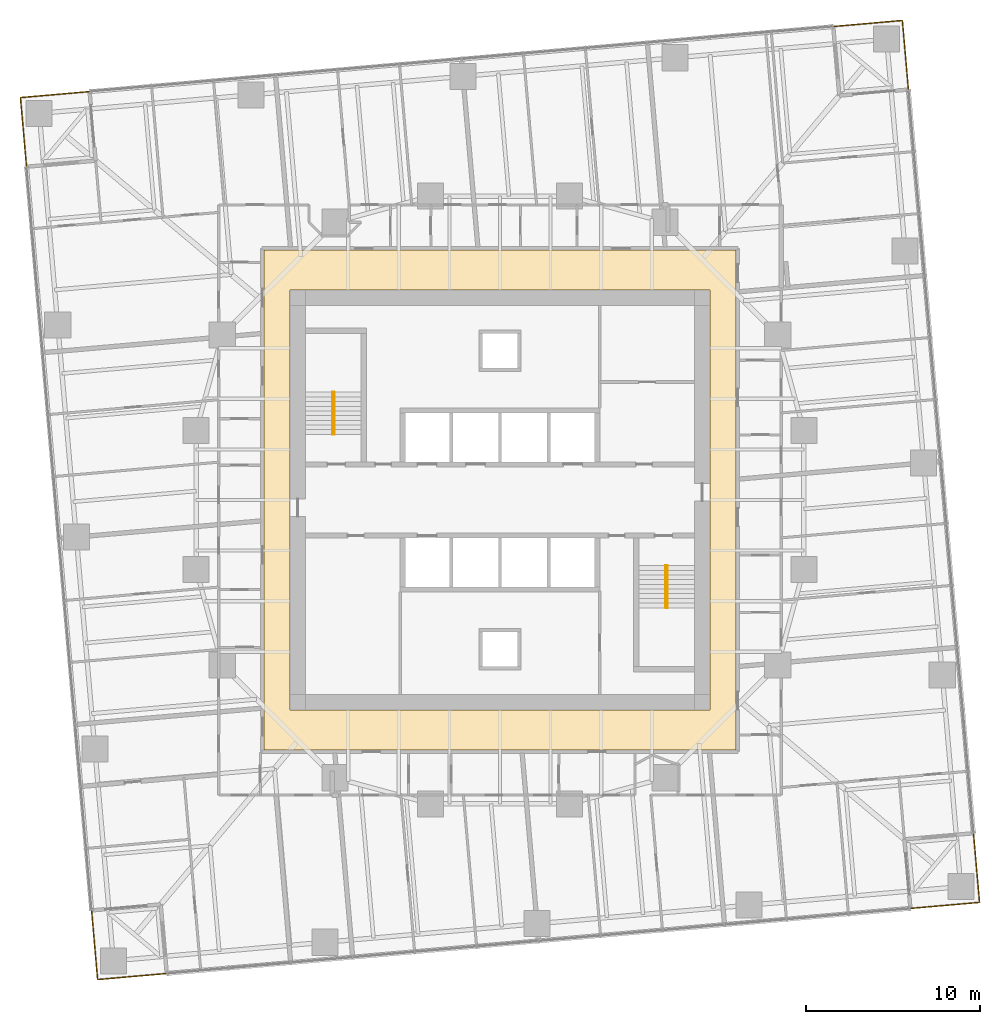
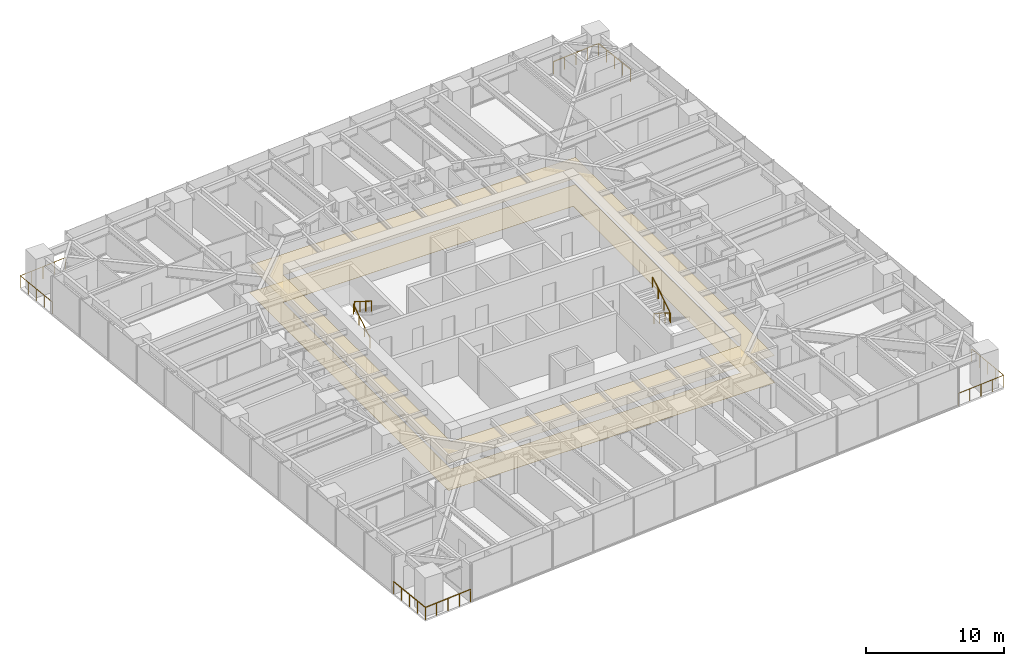
# One storey, part 14 of 14: 8 railings, 2 coverings, 2 elements without a shape of their own.
"""IFC4 building model written with IfcOpenShell, lengths in metres."""

from ifc_helpers import new_model, si_unit, direction, frame, origin, origin_2d, place, context, subcontext, project, spatial, polyline, circle, outline, extrude, material, layer, layer_set, type_object, element, aggregate, save


model = new_model("IFC4")

# Units and contexts
model_context = context("Model", 3, precision=1e-05, world=origin(), true_north=direction((0.0, 1.0)))
body_context = subcontext(model_context, "Body", "Model", "MODEL_VIEW")
ifc_project = project(units=[si_unit("LENGTHUNIT", "METRE"), si_unit("AREAUNIT", "SQUARE_METRE"), si_unit("VOLUMEUNIT", "CUBIC_METRE"), si_unit("PLANEANGLEUNIT", "RADIAN"), si_unit("MASSUNIT", "GRAM", prefix="KILO")], contexts=[model_context])

# Site, building, storey
site_placement = place(None, origin())
site = spatial("IfcSite", under=ifc_project, at=site_placement, CompositionType="ELEMENT")
building_placement = place(site_placement, origin())
building = spatial("IfcBuilding", under=site, at=building_placement, Name="Torsade Residences", CompositionType="ELEMENT")
storey_placement = place(building_placement, frame((0.0, 0.0, 57.39990234375)))
storey = spatial("IfcBuildingStorey", under=building, at=storey_placement, Name="L15", CompositionType="ELEMENT", Elevation=57.39990234375)

# Coverings
ifc_material_1 = material(Name="Nylon carpet tile on underlay", Category="textile")
ifc_layer_1 = layer(ifc_material_1, 0.010009765625)
ifc_layer_set_1 = layer_set([ifc_layer_1], Name="Nylon carpet tile on underlay")
covering_type_1 = type_object("IfcCoveringType", Name="CORRIDOR CARPET TILE 10", PredefinedType="FLOORING", material=ifc_layer_set_1)
covering_1_placement = place(storey_placement, origin())
element("IfcCovering", 1, at=covering_1_placement, inside=storey, type_object=covering_type_1, Name="Corridor carpet L15", PredefinedType="FLOORING", context=body_context, shape_type="SweptSolid", body=[
    extrude(outline(polyline([(53.60009765625, 15.60009765625), (53.60009765625, 44.39990234375), (26.39990234375, 44.39990234375), (26.39990234375, 15.60009765625), (53.60009765625, 15.60009765625)]), holes=[polyline([(52.10009765625, 42.10009765625), (27.89990234375, 42.10009765625), (27.89990234375, 17.89990234375), (52.10009765625, 17.89990234375), (52.10009765625, 42.10009765625)])]), origin(), (0.0, 0.0, 1.0), 0.010009765625),
])
ifc_material_2 = material(Name="Plasterboard on suspended steel grid", Category="steel")
ifc_layer_2 = layer(ifc_material_2, 0.012939453125)
ifc_layer_set_2 = layer_set([ifc_layer_2], Name="Plasterboard on suspended steel grid")
covering_type_2 = type_object("IfcCoveringType", Name="CORRIDOR SUSPENDED CEILING 13", PredefinedType="CEILING", material=ifc_layer_set_2)
covering_2_placement = place(storey_placement, frame((0.0, 0.0, 2.400146484375)))
element("IfcCovering", 2, at=covering_2_placement, inside=storey, type_object=covering_type_2, Name="Corridor ceiling L15", PredefinedType="CEILING", context=body_context, shape_type="SweptSolid", body=[
    extrude(outline(polyline([(53.60009765625, 15.60009765625), (53.60009765625, 44.39990234375), (26.39990234375, 44.39990234375), (26.39990234375, 15.60009765625), (53.60009765625, 15.60009765625)]), holes=[polyline([(52.10009765625, 42.10009765625), (27.89990234375, 42.10009765625), (27.89990234375, 17.89990234375), (52.10009765625, 17.89990234375), (52.10009765625, 42.10009765625)])]), origin(), (0.0, 0.0, 1.0), 0.012939453125),
])

# Stair, railings
ifc_material_3 = material(Name="Precast concrete 40 MPa", Category="concrete")
stair_type = type_object("IfcStairType", Name="HALF-TURN FIRE STAIR 1500x3400", PredefinedType="HALF_TURN_STAIR", material=ifc_material_3)
stair_1_placement = place(storey_placement, origin())
stair_1 = element("IfcStair", 3, at=stair_1_placement, inside=storey, type_object=stair_type, Name="Stair ST1 L15", PredefinedType="HALF_TURN_STAIR")
ifc_material_4 = material(Name="Steel handrail", Category="steel")
railing_type_1 = type_object("IfcRailingType", Name="STAIR HANDRAIL 900", PredefinedType="HANDRAIL", material=ifc_material_4)
railing_1_placement = place(storey_placement, frame((30.35009765625, 33.780029296875, 0.170166015625)))
railing_1 = element("IfcRailing", 4, at=railing_1_placement, type_object=railing_type_1, Name="Handrail ST1 flight 1 L15", PredefinedType="HANDRAIL", context=body_context, shape_type="SweptSolid", body=[
    extrude(circle(Radius=0.02392578125, at=origin_2d()), frame((0.0, 0.0, 0.8759765625), z_axis=(0.0, 0.846221481393, 0.532831309544), x_axis=(-1.0, 0.0, 0.0)), (0.0, 0.0, 1.0), 2.87158203125),
    extrude(circle(Radius=0.02099609375, at=origin_2d()), origin(), (0.0, 0.0, 1.0), 0.851806640625),
    extrude(circle(Radius=0.02099609375, at=origin_2d()), frame((0.0, 0.81005859375, 0.510009765625)), (0.0, 0.0, 1.0), 0.851806640625),
    extrude(circle(Radius=0.02099609375, at=origin_2d()), frame((0.0, 1.619873046875, 1.02001953125)), (0.0, 0.0, 1.0), 0.851806640625),
    extrude(circle(Radius=0.02099609375, at=origin_2d()), frame((0.0, 2.429931640625, 1.530029296875)), (0.0, 0.0, 1.0), 0.851806640625),
])
railing_2_placement = place(storey_placement, frame((30.449951171875, 36.2099609375, 1.8701171875)))
railing_2 = element("IfcRailing", 5, at=railing_2_placement, type_object=railing_type_1, Name="Handrail ST1 flight 2 L15", PredefinedType="HANDRAIL", context=body_context, shape_type="SweptSolid", body=[
    extrude(circle(Radius=0.02392578125, at=origin_2d()), frame((0.0, 0.0, 0.8759765625), z_axis=(0.0, -0.846221481393, 0.532831309544), x_axis=(1.0, 0.0, 0.0)), (0.0, 0.0, 1.0), 2.87158203125),
    extrude(circle(Radius=0.02099609375, at=origin_2d()), origin(), (0.0, 0.0, 1.0), 0.851806640625),
    extrude(circle(Radius=0.02099609375, at=origin_2d()), frame((0.0, -0.81005859375, 0.510009765625)), (0.0, 0.0, 1.0), 0.851806640625),
    extrude(circle(Radius=0.02099609375, at=origin_2d()), frame((0.0, -1.619873046875, 1.02001953125)), (0.0, 0.0, 1.0), 0.851806640625),
    extrude(circle(Radius=0.02099609375, at=origin_2d()), frame((0.0, -2.429931640625, 1.530029296875)), (0.0, 0.0, 1.0), 0.851806640625),
])
aggregate(stair_1, [railing_1, railing_2])

stair_2_placement = place(storey_placement, origin())
stair_2 = element("IfcStair", 6, at=stair_2_placement, inside=storey, type_object=stair_type, Name="Stair ST2 L15", PredefinedType="HALF_TURN_STAIR")
railing_3_placement = place(storey_placement, frame((49.64990234375, 26.219970703125, 0.170166015625)))
railing_3 = element("IfcRailing", 7, at=railing_3_placement, type_object=railing_type_1, Name="Handrail ST2 flight 1 L15", PredefinedType="HANDRAIL", context=body_context, shape_type="SweptSolid", body=[
    extrude(circle(Radius=0.02392578125, at=origin_2d()), frame((0.0, 0.0, 0.8759765625), z_axis=(0.0, -0.846221481393, 0.532831309544), x_axis=(1.0, 0.0, 0.0)), (0.0, 0.0, 1.0), 2.87158203125),
    extrude(circle(Radius=0.02099609375, at=origin_2d()), origin(), (0.0, 0.0, 1.0), 0.851806640625),
    extrude(circle(Radius=0.02099609375, at=origin_2d()), frame((0.0, -0.81005859375, 0.510009765625)), (0.0, 0.0, 1.0), 0.851806640625),
    extrude(circle(Radius=0.02099609375, at=origin_2d()), frame((0.0, -1.619873046875, 1.02001953125)), (0.0, 0.0, 1.0), 0.851806640625),
    extrude(circle(Radius=0.02099609375, at=origin_2d()), frame((0.0, -2.429931640625, 1.530029296875)), (0.0, 0.0, 1.0), 0.851806640625),
])
railing_4_placement = place(storey_placement, frame((49.550048828125, 23.7900390625, 1.8701171875)))
railing_4 = element("IfcRailing", 8, at=railing_4_placement, type_object=railing_type_1, Name="Handrail ST2 flight 2 L15", PredefinedType="HANDRAIL", context=body_context, shape_type="SweptSolid", body=[
    extrude(circle(Radius=0.02392578125, at=origin_2d()), frame((0.0, 0.0, 0.8759765625), z_axis=(0.0, 0.846221481393, 0.532831309544), x_axis=(-1.0, 0.0, 0.0)), (0.0, 0.0, 1.0), 2.87158203125),
    extrude(circle(Radius=0.02099609375, at=origin_2d()), origin(), (0.0, 0.0, 1.0), 0.851806640625),
    extrude(circle(Radius=0.02099609375, at=origin_2d()), frame((0.0, 0.81005859375, 0.510009765625)), (0.0, 0.0, 1.0), 0.851806640625),
    extrude(circle(Radius=0.02099609375, at=origin_2d()), frame((0.0, 1.619873046875, 1.02001953125)), (0.0, 0.0, 1.0), 0.851806640625),
    extrude(circle(Radius=0.02099609375, at=origin_2d()), frame((0.0, 2.429931640625, 1.530029296875)), (0.0, 0.0, 1.0), 0.851806640625),
])
aggregate(stair_2, [railing_3, railing_4])

# Railings
ifc_material_5 = material(Name="Laminated glass balustrade", Category="glass")
railing_type_2 = type_object("IfcRailingType", Name="TERRACE GLASS BALUSTRADE 1100", PredefinedType="BALUSTRADE", material=ifc_material_5)
railing_5_placement = place(storey_placement, frame((63.640625, 6.470947265625, 0.0)))
element("IfcRailing", 9, at=railing_5_placement, inside=storey, type_object=railing_type_2, Name="Terrace balustrade SE L15", PredefinedType="BALUSTRADE", context=body_context, shape_type="SweptSolid", body=[
    extrude(circle(Radius=0.02392578125, at=origin_2d()), frame((0.0, 0.0, 1.076171875), z_axis=(0.99619464492, 0.087156350505, 0.0), x_axis=(-0.087156350505, 0.99619464492, 0.0)), (0.0, 0.0, 1.0), 4.0),
    extrude(circle(Radius=0.02392578125, at=origin_2d()), frame((3.98486328125, 0.3486328125, 1.076171875), z_axis=(-0.087161650072, 0.99619418125, 0.0), x_axis=(-0.99619418125, -0.087161650072, 0.0)), (0.0, 0.0, 1.0), 3.999755859375),
    extrude(circle(Radius=0.02099609375, at=origin_2d()), origin(), (0.0, 0.0, 1.0), 1.052001953125),
    extrude(circle(Radius=0.02099609375, at=origin_2d()), frame((0.99609375, 0.087158203125, 0.0)), (0.0, 0.0, 1.0), 1.052001953125),
    extrude(circle(Radius=0.02099609375, at=origin_2d()), frame((1.992431640625, 0.17431640625, 0.0)), (0.0, 0.0, 1.0), 1.052001953125),
    extrude(circle(Radius=0.02099609375, at=origin_2d()), frame((2.98876953125, 0.261474609375, 0.0)), (0.0, 0.0, 1.0), 1.052001953125),
    extrude(circle(Radius=0.02099609375, at=origin_2d()), frame((3.98486328125, 0.3486328125, 0.0)), (0.0, 0.0, 1.0), 1.052001953125),
    extrude(circle(Radius=0.02099609375, at=origin_2d()), frame((3.897705078125, 1.3447265625, 0.0)), (0.0, 0.0, 1.0), 1.052001953125),
    extrude(circle(Radius=0.02099609375, at=origin_2d()), frame((3.810546875, 2.3408203125, 0.0)), (0.0, 0.0, 1.0), 1.052001953125),
    extrude(circle(Radius=0.02099609375, at=origin_2d()), frame((3.723388671875, 3.337158203125, 0.0)), (0.0, 0.0, 1.0), 1.052001953125),
    extrude(circle(Radius=0.02099609375, at=origin_2d()), frame((3.63623046875, 4.333251953125, 0.0)), (0.0, 0.0, 1.0), 1.052001953125),
])
railing_6_placement = place(storey_placement, frame((63.529052734375, 53.640625, 0.0)))
element("IfcRailing", 10, at=railing_6_placement, inside=storey, type_object=railing_type_2, Name="Terrace balustrade NE L15", PredefinedType="BALUSTRADE", context=body_context, shape_type="SweptSolid", body=[
    extrude(circle(Radius=0.02392578125, at=origin_2d()), frame((0.0, 0.0, 1.076171875), z_axis=(-0.087156350505, 0.99619464492, 0.0), x_axis=(-0.99619464492, -0.087156350505, 0.0)), (0.0, 0.0, 1.0), 4.0),
    extrude(circle(Radius=0.02392578125, at=origin_2d()), frame((-0.3486328125, 3.98486328125, 1.076171875), z_axis=(-0.99619418125, -0.087161650072, 0.0), x_axis=(0.087161650072, -0.99619418125, 0.0)), (0.0, 0.0, 1.0), 3.999755859375),
    extrude(circle(Radius=0.02099609375, at=origin_2d()), origin(), (0.0, 0.0, 1.0), 1.052001953125),
    extrude(circle(Radius=0.02099609375, at=origin_2d()), frame((-0.087158203125, 0.99609375, 0.0)), (0.0, 0.0, 1.0), 1.052001953125),
    extrude(circle(Radius=0.02099609375, at=origin_2d()), frame((-0.17431640625, 1.992431640625, 0.0)), (0.0, 0.0, 1.0), 1.052001953125),
    extrude(circle(Radius=0.02099609375, at=origin_2d()), frame((-0.261474609375, 2.98876953125, 0.0)), (0.0, 0.0, 1.0), 1.052001953125),
    extrude(circle(Radius=0.02099609375, at=origin_2d()), frame((-0.3486328125, 3.98486328125, 0.0)), (0.0, 0.0, 1.0), 1.052001953125),
    extrude(circle(Radius=0.02099609375, at=origin_2d()), frame((-1.3447265625, 3.897705078125, 0.0)), (0.0, 0.0, 1.0), 1.052001953125),
    extrude(circle(Radius=0.02099609375, at=origin_2d()), frame((-2.3408203125, 3.810546875, 0.0)), (0.0, 0.0, 1.0), 1.052001953125),
    extrude(circle(Radius=0.02099609375, at=origin_2d()), frame((-3.337158203125, 3.723388671875, 0.0)), (0.0, 0.0, 1.0), 1.052001953125),
    extrude(circle(Radius=0.02099609375, at=origin_2d()), frame((-4.333251953125, 3.63623046875, 0.0)), (0.0, 0.0, 1.0), 1.052001953125),
])
railing_7_placement = place(storey_placement, frame((16.359375, 53.529052734375, 0.0)))
element("IfcRailing", 11, at=railing_7_placement, inside=storey, type_object=railing_type_2, Name="Terrace balustrade NW L15", PredefinedType="BALUSTRADE", context=body_context, shape_type="SweptSolid", body=[
    extrude(circle(Radius=0.02392578125, at=origin_2d()), frame((0.0, 0.0, 1.076171875), z_axis=(-0.99619464492, -0.087156350505, 0.0), x_axis=(0.087156350505, -0.99619464492, 0.0)), (0.0, 0.0, 1.0), 4.0),
    extrude(circle(Radius=0.02392578125, at=origin_2d()), frame((-3.98486328125, -0.3486328125, 1.076171875), z_axis=(0.087161650072, -0.99619418125, 0.0), x_axis=(0.99619418125, 0.087161650072, 0.0)), (0.0, 0.0, 1.0), 3.999755859375),
    extrude(circle(Radius=0.02099609375, at=origin_2d()), origin(), (0.0, 0.0, 1.0), 1.052001953125),
    extrude(circle(Radius=0.02099609375, at=origin_2d()), frame((-0.99609375, -0.087158203125, 0.0)), (0.0, 0.0, 1.0), 1.052001953125),
    extrude(circle(Radius=0.02099609375, at=origin_2d()), frame((-1.992431640625, -0.17431640625, 0.0)), (0.0, 0.0, 1.0), 1.052001953125),
    extrude(circle(Radius=0.02099609375, at=origin_2d()), frame((-2.98876953125, -0.261474609375, 0.0)), (0.0, 0.0, 1.0), 1.052001953125),
    extrude(circle(Radius=0.02099609375, at=origin_2d()), frame((-3.98486328125, -0.3486328125, 0.0)), (0.0, 0.0, 1.0), 1.052001953125),
    extrude(circle(Radius=0.02099609375, at=origin_2d()), frame((-3.897705078125, -1.3447265625, 0.0)), (0.0, 0.0, 1.0), 1.052001953125),
    extrude(circle(Radius=0.02099609375, at=origin_2d()), frame((-3.810546875, -2.3408203125, 0.0)), (0.0, 0.0, 1.0), 1.052001953125),
    extrude(circle(Radius=0.02099609375, at=origin_2d()), frame((-3.723388671875, -3.337158203125, 0.0)), (0.0, 0.0, 1.0), 1.052001953125),
    extrude(circle(Radius=0.02099609375, at=origin_2d()), frame((-3.63623046875, -4.333251953125, 0.0)), (0.0, 0.0, 1.0), 1.052001953125),
])
railing_8_placement = place(storey_placement, frame((16.470947265625, 6.359375, 0.0)))
element("IfcRailing", 12, at=railing_8_placement, inside=storey, type_object=railing_type_2, Name="Terrace balustrade SW L15", PredefinedType="BALUSTRADE", context=body_context, shape_type="SweptSolid", body=[
    extrude(circle(Radius=0.02392578125, at=origin_2d()), frame((0.0, 0.0, 1.076171875), z_axis=(0.087156350505, -0.99619464492, 0.0), x_axis=(0.99619464492, 0.087156350505, 0.0)), (0.0, 0.0, 1.0), 4.0),
    extrude(circle(Radius=0.02392578125, at=origin_2d()), frame((0.3486328125, -3.98486328125, 1.076171875), z_axis=(0.99619418125, 0.087161650072, 0.0), x_axis=(-0.087161650072, 0.99619418125, 0.0)), (0.0, 0.0, 1.0), 3.999755859375),
    extrude(circle(Radius=0.02099609375, at=origin_2d()), origin(), (0.0, 0.0, 1.0), 1.052001953125),
    extrude(circle(Radius=0.02099609375, at=origin_2d()), frame((0.087158203125, -0.99609375, 0.0)), (0.0, 0.0, 1.0), 1.052001953125),
    extrude(circle(Radius=0.02099609375, at=origin_2d()), frame((0.17431640625, -1.992431640625, 0.0)), (0.0, 0.0, 1.0), 1.052001953125),
    extrude(circle(Radius=0.02099609375, at=origin_2d()), frame((0.261474609375, -2.98876953125, 0.0)), (0.0, 0.0, 1.0), 1.052001953125),
    extrude(circle(Radius=0.02099609375, at=origin_2d()), frame((0.3486328125, -3.98486328125, 0.0)), (0.0, 0.0, 1.0), 1.052001953125),
    extrude(circle(Radius=0.02099609375, at=origin_2d()), frame((1.3447265625, -3.897705078125, 0.0)), (0.0, 0.0, 1.0), 1.052001953125),
    extrude(circle(Radius=0.02099609375, at=origin_2d()), frame((2.3408203125, -3.810546875, 0.0)), (0.0, 0.0, 1.0), 1.052001953125),
    extrude(circle(Radius=0.02099609375, at=origin_2d()), frame((3.337158203125, -3.723388671875, 0.0)), (0.0, 0.0, 1.0), 1.052001953125),
    extrude(circle(Radius=0.02099609375, at=origin_2d()), frame((4.333251953125, -3.63623046875, 0.0)), (0.0, 0.0, 1.0), 1.052001953125),
])

save(model, "model.ifc")
